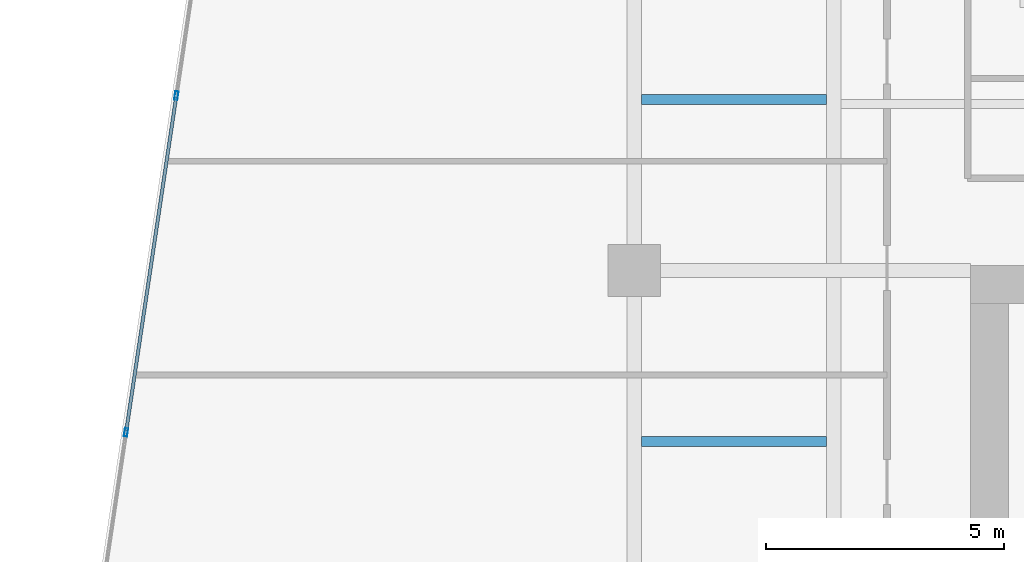
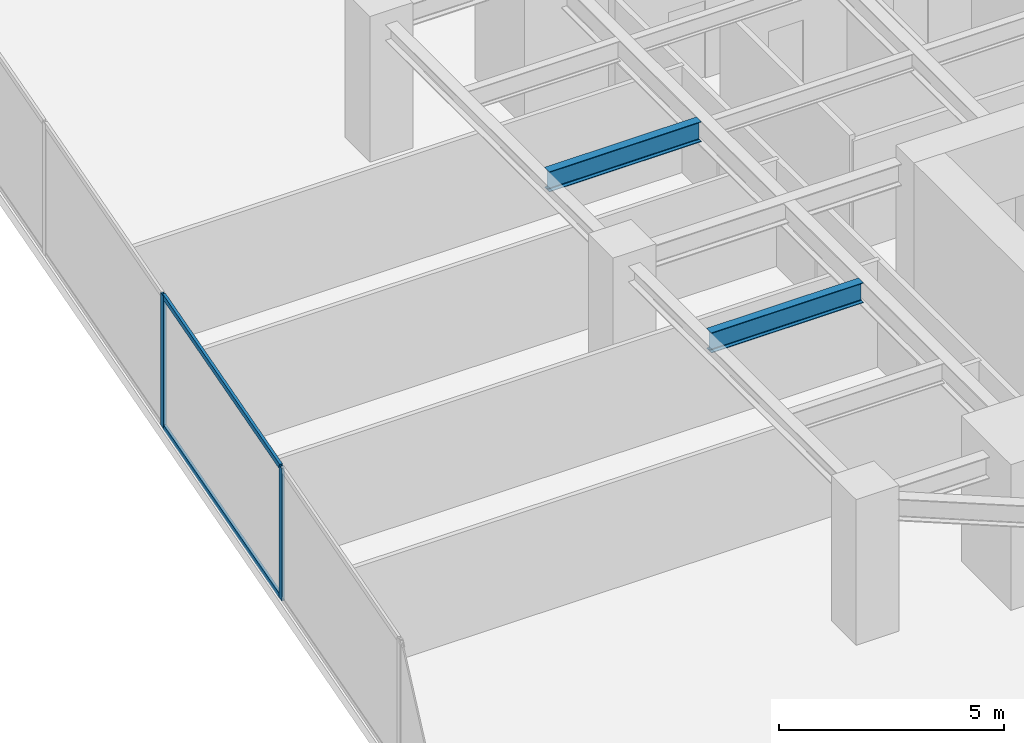
# One storey, part 8 of 29: 4 members, 2 beams, 1 element without a shape of its own.
"""IFC4 building model written with IfcOpenShell, lengths in metres."""

from ifc_helpers import new_model, si_unit, direction, frame, origin, origin_2d, place, context, subcontext, project, spatial, hollow_rectangle, i_section, extrude, source, transform, mapped, material, material_profile, profile_set, type_object, type_shapes, element, aggregate, save


model = new_model("IFC4")

# Units and contexts
model_context = context("Model", 3, precision=1e-05, world=origin(), true_north=direction((0.0, 1.0)))
body_context = subcontext(model_context, "Body", "Model", "MODEL_VIEW")
ifc_project = project(units=[si_unit("LENGTHUNIT", "METRE"), si_unit("AREAUNIT", "SQUARE_METRE"), si_unit("VOLUMEUNIT", "CUBIC_METRE"), si_unit("PLANEANGLEUNIT", "RADIAN"), si_unit("MASSUNIT", "GRAM", prefix="KILO")], contexts=[model_context])

# Site, building, storey
site_placement = place(None, origin())
site = spatial("IfcSite", under=ifc_project, at=site_placement, CompositionType="ELEMENT")
building_placement = place(site_placement, origin())
building = spatial("IfcBuilding", under=site, at=building_placement, Name="Krantzveldt Concourse Tower", CompositionType="ELEMENT")
storey_placement = place(building_placement, frame((0.0, 0.0, 76.35009765625)))
storey = spatial("IfcBuildingStorey", under=building, at=storey_placement, Name="L18", CompositionType="ELEMENT", Elevation=76.35009765625)

# Beams
ifc_material_1 = material(Name="Steel S355JR", Category="steel")
ifc_material_profile_1 = material_profile(ifc_material_1, i_section(OverallWidth=0.2099609375, OverallDepth=0.550048828125, WebThickness=0.010986328125, FlangeThickness=0.01708984375, FilletRadius=0.02392578125, at=origin_2d()), Name="Steel S355JR", Category="steel")
ifc_profile_set_1 = profile_set([ifc_material_profile_1], Name="Steel S355JR - IPE 550")
beam_type = type_object("IfcBeamType", Name="BM-J-IPE550", PredefinedType="JOIST", material=ifc_profile_set_1)
shared_shape_1 = source(origin(), body_context, "Body", "SweptSolid", [
    extrude(i_section(OverallWidth=0.2099609375, OverallDepth=0.550048828125, WebThickness=0.010986328125, FlangeThickness=0.01708984375, FilletRadius=0.02392578125, at=origin_2d()), origin(), (0.0, 0.0, 1.0), 3.900146484375),
])
type_shapes(beam_type, [shared_shape_1])
for number, where, z_axis, x_axis, name in (
    (1, (21.14990234375, 23.10009765625, 3.31494140625), (1.0, 0.0, 0.0), (0.0, 1.0, 0.0), "L18 Secondary Floor Joist JW-2"),
    (2, (21.14990234375, 30.300048828125, 3.31494140625), (1.0, 0.0, 0.0), (0.0, 1.0, 0.0), "L18 Secondary Floor Joist JW-3"),
):
    element("IfcBeam", number, at=place(storey_placement, frame(where, z_axis=z_axis, x_axis=x_axis)), inside=storey, type_object=beam_type, Name=name, PredefinedType="JOIST", context=body_context, shape_type="MappedRepresentation", body=[
        mapped(shared_shape_1, transform((0.0, 0.0, 0.0), x_axis=(1.0, 0.0, 0.0), y_axis=(0.0, 1.0, 0.0), z_axis=(0.0, 0.0, 1.0), scale=1.0)),
    ])

# Curtain wall, members
ifc_material_2 = material(Name="Anodised aluminium 6063-T6", Category="aluminium")
curtain_wall_type = type_object("IfcCurtainWallType", Name="CW2", PredefinedType="USERDEFINED", material=ifc_material_2)
curtain_wall_placement = place(storey_placement, origin())
curtain_wall = element("IfcCurtainWall", 3, at=curtain_wall_placement, inside=storey, type_object=curtain_wall_type, Name="CW-L18-F01", ObjectType="UNITISED CURTAIN WALL", PredefinedType="USERDEFINED")
ifc_material_profile_2 = material_profile(ifc_material_2, hollow_rectangle(XDim=0.070068359375, YDim=0.139892578125, WallThickness=0.0048828125, at=origin_2d()), Name="Anodised aluminium 6063-T6", Category="aluminium")
ifc_profile_set_2 = profile_set([ifc_material_profile_2], Name="Anodised aluminium 6063-T6 - ALU-TRAN 140x70x5")
member_type_1 = type_object("IfcMemberType", Name="CW-TRN-150", PredefinedType="USERDEFINED", material=ifc_profile_set_2)
shared_shape_2 = source(origin(), body_context, "Body", "SweptSolid", [
    extrude(hollow_rectangle(XDim=0.070068359375, YDim=0.139892578125, WallThickness=0.0048828125, at=origin_2d()), origin(), (0.0, 0.0, 1.0), 7.0966796875),
])
type_shapes(member_type_1, [shared_shape_2])
member_1_placement = place(storey_placement, frame((11.3583984375, 30.347412109375, 0.034912109375), z_axis=(-0.14779033687, -0.989018713841, 0.0), x_axis=(0.989018713841, -0.14779033687, 0.0)))
member_1 = element("IfcMember", 4, at=member_1_placement, type_object=member_type_1, Name="CW-Z12 transom 4.1", ObjectType="TRANSOM", PredefinedType="USERDEFINED", context=body_context, shape_type="MappedRepresentation", body=[
    mapped(shared_shape_2, transform((0.0, 0.0, 0.0), x_axis=(1.0, 0.0, 0.0), y_axis=(0.0, 1.0, 0.0), z_axis=(0.0, 0.0, 1.0), scale=1.0)),
])
member_2_placement = place(storey_placement, frame((11.3583984375, 30.347412109375, 3.554931640625), z_axis=(-0.14779033687, -0.989018713841, 0.0), x_axis=(0.989018713841, -0.14779033687, 0.0)))
member_2 = element("IfcMember", 5, at=member_2_placement, type_object=member_type_1, Name="CW-Z12 transom 4.2", ObjectType="TRANSOM", PredefinedType="USERDEFINED", context=body_context, shape_type="MappedRepresentation", body=[
    mapped(shared_shape_2, transform((0.0, 0.0, 0.0), x_axis=(1.0, 0.0, 0.0), y_axis=(0.0, 1.0, 0.0), z_axis=(0.0, 0.0, 1.0), scale=1.0)),
])
ifc_material_profile_3 = material_profile(ifc_material_2, hollow_rectangle(XDim=0.070068359375, YDim=0.179931640625, WallThickness=0.0048828125, at=origin_2d()), Name="Anodised aluminium 6063-T6", Category="aluminium")
ifc_profile_set_3 = profile_set([ifc_material_profile_3], Name="Anodised aluminium 6063-T6 - ALU-MULL 180x70x5")
member_type_2 = type_object("IfcMemberType", Name="CW-MUL-180", PredefinedType="MULLION", material=ifc_profile_set_3)
shared_shape_3 = source(origin(), body_context, "Body", "SweptSolid", [
    extrude(hollow_rectangle(XDim=0.070068359375, YDim=0.179931640625, WallThickness=0.0048828125, at=origin_2d()), origin(), (0.0, 0.0, 1.0), 3.58984375),
])
type_shapes(member_type_2, [shared_shape_3])
member_3_placement = place(storey_placement, frame((11.363525390625, 30.3818359375, 0.0), z_axis=(0.0, 0.0, 1.0), x_axis=(0.989015849271, -0.147809505412, 0.0)))
member_3 = element("IfcMember", 6, at=member_3_placement, type_object=member_type_2, Name="CW-Z12 mullion 4", PredefinedType="MULLION", context=body_context, shape_type="MappedRepresentation", body=[
    mapped(shared_shape_3, transform((0.0, 0.0, 0.0), x_axis=(1.0, 0.0, 0.0), y_axis=(0.0, 1.0, 0.0), z_axis=(0.0, 0.0, 1.0), scale=1.0)),
])
member_4_placement = place(storey_placement, frame((10.30419921875, 23.2939453125, 0.0), z_axis=(0.0, 0.0, 1.0), x_axis=(0.989015849271, -0.147809505412, 0.0)))
member_4 = element("IfcMember", 7, at=member_4_placement, type_object=member_type_2, Name="CW-Z12 mullion 5", PredefinedType="MULLION", context=body_context, shape_type="MappedRepresentation", body=[
    mapped(shared_shape_3, transform((0.0, 0.0, 0.0), x_axis=(1.0, 0.0, 0.0), y_axis=(0.0, 1.0, 0.0), z_axis=(0.0, 0.0, 1.0), scale=1.0)),
])
aggregate(curtain_wall, [member_3, member_4, member_1, member_2])

save(model, "model.ifc")
